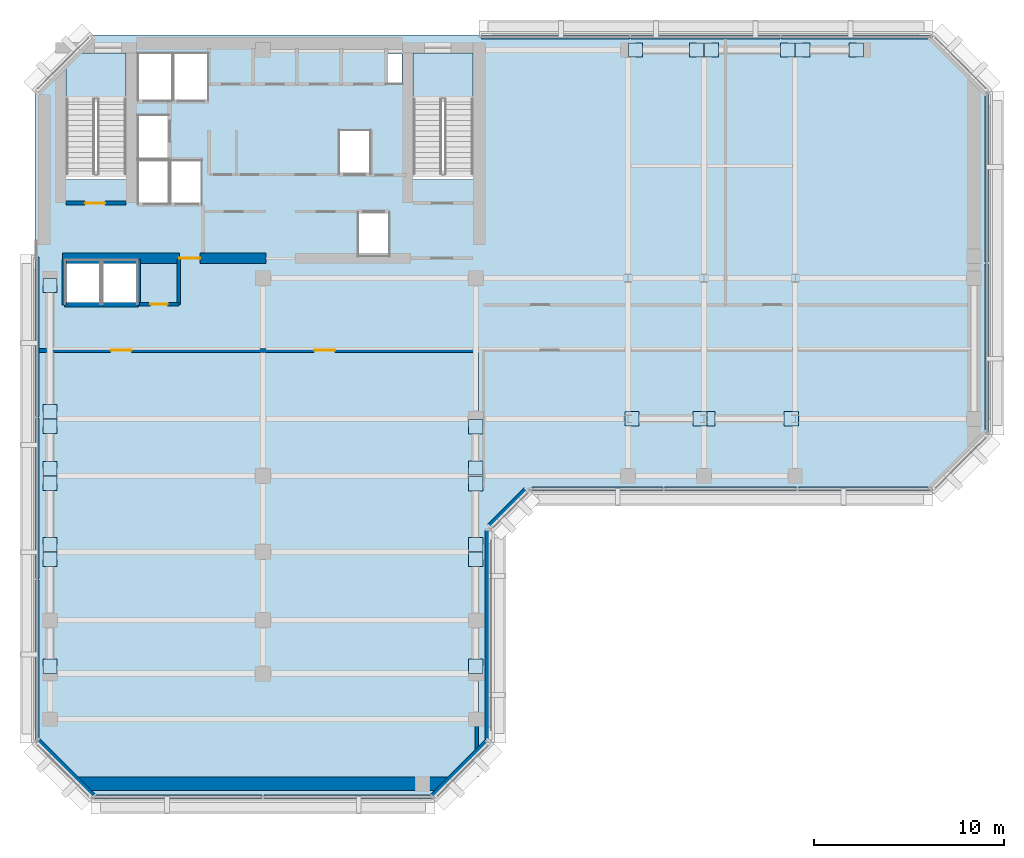
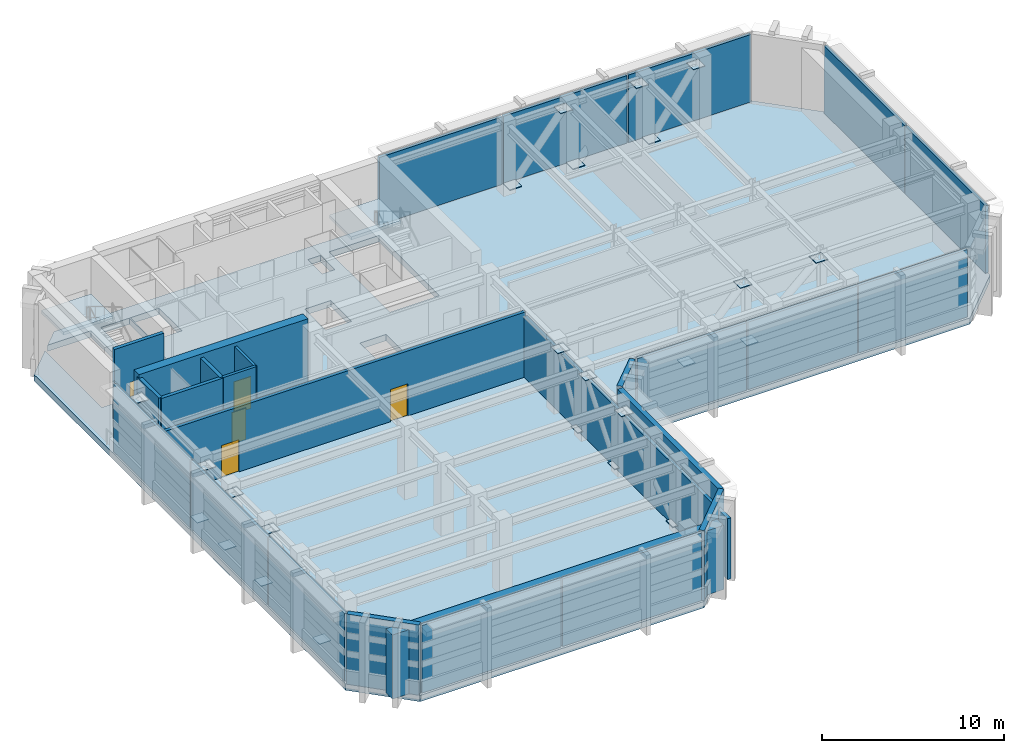
# One storey, part 5 of 11: 37 plates, 14 walls, 5 doors, 3 slabs, 5 openings, 7 elements without a shape of their own.
"""IFC4 building model written with IfcOpenShell, lengths in metres."""

import ifcopenshell
import ifcopenshell.guid

model = None  # the IFC model being written
_history = None  # IfcOwnerHistory: only IFC2X3 demands one
_inside = {}  # id of a spatial element -> (the spatial element, [elements in it])
_under = {}  # id of a project, library or spatial element -> (it, [spatial elements below it])
_declared = {}  # id of a project -> (the project, [libraries it declares])
_typed = {}  # id of a type object -> (the type object, [elements of that type])
_made_of = {}  # id of a material, layer set ... -> (it, [elements and type objects made of it])


def new_model(schema):
    """Start an empty IFC model of exactly this schema.

    Asked for "IFC4X3", IfcOpenShell would pick the latest addendum, in which some entities
    have other attributes; the version numbers below select the first issue.
    IFC2X3 requires an IfcOwnerHistory on every rooted entity: one is made here for all.
    """
    global model, _history
    if schema == "IFC4X3":
        model = ifcopenshell.file(schema_version=(4, 3, 0, 0))
    else:
        model = ifcopenshell.file(schema=schema)
    _inside.clear()
    _under.clear()
    _declared.clear()
    _typed.clear()
    _made_of.clear()
    _history = None
    if model.schema == "IFC2X3":
        org = make("IfcOrganization", Name="unknown")
        user = make(
            "IfcPersonAndOrganization",
            ThePerson=make("IfcPerson", FamilyName="unknown"),
            TheOrganization=org,
        )
        app = make(
            "IfcApplication",
            ApplicationDeveloper=org,
            Version="unknown",
            ApplicationFullName="unknown",
            ApplicationIdentifier="unknown",
        )
        _history = make(
            "IfcOwnerHistory",
            OwningUser=user,
            OwningApplication=app,
            ChangeAction="ADDED",
            CreationDate=0,
        )
    return model


def make(cls, **values):
    """One entity of the class cls with the attributes given. An attribute that is None is left unset."""
    return model.create_entity(
        cls, **{name: value for name, value in values.items() if value is not None}
    )


def rooted(cls, **values):
    """An entity with a GlobalId (a new one), such as an element, a storey or a relation."""
    return make(cls, GlobalId=ifcopenshell.guid.new(), OwnerHistory=_history, **values)


def si_unit(unit_type, name, prefix=None):
    """IfcSIUnit, for example si_unit("LENGTHUNIT", "METRE", prefix="MILLI")."""
    return make("IfcSIUnit", UnitType=unit_type, Prefix=prefix, Name=name)


def assignment(units):
    """IfcUnitAssignment: the units of a project."""
    return None if units is None else make("IfcUnitAssignment", Units=units)


def point(xyz):
    """IfcCartesianPoint."""
    return None if xyz is None else make("IfcCartesianPoint", Coordinates=xyz)


def direction(xyz):
    """IfcDirection."""
    return None if xyz is None else make("IfcDirection", DirectionRatios=xyz)


def frame(location, z_axis=None, x_axis=None):
    """IfcAxis2Placement3D, a coordinate frame: its origin and axes. An axis left out is left unset."""
    return make(
        "IfcAxis2Placement3D",
        Location=point(location),
        Axis=direction(z_axis),
        RefDirection=direction(x_axis),
    )


def frame_2d(location, x_axis=None):
    """IfcAxis2Placement2D, a coordinate frame in the plane: its origin and x axis."""
    return make(
        "IfcAxis2Placement2D", Location=point(location), RefDirection=direction(x_axis)
    )


def origin():
    """The frame at (0, 0, 0) with its axes left unset."""
    return frame((0.0, 0.0, 0.0))


def origin_2d():
    """The frame at (0, 0) in the plane with its x axis left unset."""
    return frame_2d((0.0, 0.0))


def place(relative_to, where):
    """IfcLocalPlacement: puts the frame where relative to a parent placement (None: the world)."""
    return make(
        "IfcLocalPlacement", PlacementRelTo=relative_to, RelativePlacement=where
    )


def context(
    kind, dimensions, precision=None, world=None, true_north=None, identifier=None
):
    """IfcGeometricRepresentationContext, for example the 3D "Model" context."""
    return make(
        "IfcGeometricRepresentationContext",
        ContextIdentifier=identifier,
        ContextType=kind,
        CoordinateSpaceDimension=dimensions,
        Precision=precision,
        WorldCoordinateSystem=world,
        TrueNorth=true_north,
    )


def subcontext(parent, identifier, kind, view, scale=None):
    """IfcGeometricRepresentationSubContext, for example "Body" below "Model"."""
    return make(
        "IfcGeometricRepresentationSubContext",
        ContextIdentifier=identifier,
        ContextType=kind,
        ParentContext=parent,
        TargetScale=scale,
        TargetView=view,
    )


def project(units=None, contexts=None):
    """IfcProject with its units and contexts."""
    return rooted(
        "IfcProject",
        Name="project",
        RepresentationContexts=contexts,
        UnitsInContext=assignment(units),
    )


def spatial(cls, under=None, at=None, **own):
    """A site, building, storey or space (cls), placed at a placement, below another one or the project."""
    s = rooted(cls, ObjectPlacement=at, **own)
    if under is not None:
        _under.setdefault(under.id(), (under, []))[1].append(s)
    return s


def polyline(points):
    """IfcPolyline through the points."""
    return make("IfcPolyline", Points=[point(p) for p in points])


def profile(cls, at=None, kind="AREA", **sizes):
    """A parametric profile (cls). Its sizes go by their IFC names, for example OverallWidth=200.0."""
    return make(cls, ProfileType=kind, Position=at, **sizes)


def rectangle(**sizes):
    """IfcRectangleProfileDef."""
    return profile("IfcRectangleProfileDef", **sizes)


def outline(outer, holes=None, kind="AREA"):
    """IfcArbitraryClosedProfileDef: a profile drawn as a closed curve; with holes, ...WithVoids."""
    if holes is None:
        return make("IfcArbitraryClosedProfileDef", ProfileType=kind, OuterCurve=outer)
    return make(
        "IfcArbitraryProfileDefWithVoids",
        ProfileType=kind,
        OuterCurve=outer,
        InnerCurves=holes,
    )


def extrude(swept, where, along, depth):
    """IfcExtrudedAreaSolid: the profile swept, set in the frame where, extruded along a direction by depth."""
    return make(
        "IfcExtrudedAreaSolid",
        SweptArea=swept,
        Position=where,
        ExtrudedDirection=direction(along),
        Depth=depth,
    )


def shape(context_of_items, identifier, shape_type, items):
    """IfcShapeRepresentation: the items that make up one representation, for example the "Body"."""
    return make(
        "IfcShapeRepresentation",
        ContextOfItems=context_of_items,
        RepresentationIdentifier=identifier,
        RepresentationType=shape_type,
        Items=items,
    )


def material(Name=None, Category=None):
    """IfcMaterial."""
    return make("IfcMaterial", Name=Name, Category=Category)


def layer(
    of_material, thickness, ventilated=None, Name=None, Category=None, Priority=None
):
    """IfcMaterialLayer: one layer of a wall or slab, of a material (None: an air gap)."""
    return make(
        "IfcMaterialLayer",
        Material=of_material,
        LayerThickness=thickness,
        IsVentilated=ventilated,
        Name=Name,
        Category=Category,
        Priority=Priority,
    )


def layer_set(layers, Name=None):
    """IfcMaterialLayerSet."""
    return make("IfcMaterialLayerSet", MaterialLayers=layers, LayerSetName=Name)


def made_of(thing, what):
    """Note that an element or type object is made of a material, layer set ...; save() writes the relation."""
    if what is not None:
        _made_of.setdefault(what.id(), (what, []))[1].append(thing)
    return thing


def type_object(cls, material=None, **own):
    """A type object (cls), such as IfcWallType, which elements share."""
    return made_of(rooted(cls, **own), material)


def element(
    cls,
    number,
    at=None,
    inside=None,
    cuts=None,
    type_object=None,
    material=None,
    context=None,
    identifier="Body",
    shape_type=None,
    held_by="IfcProductDefinitionShape",
    body=None,
    shapes=None,
    **own,
):
    """One element of the class cls, such as IfcWall. Its Tag is "e" and its number.

    at: its placement. inside: the storey or other place that contains it. cuts: it is an
    opening in that element (IfcRelVoidsElement). A single representation is given by context,
    identifier, shape_type and body (its items); several are given by shapes. held_by: the class
    of the entity that holds the representations. save() writes the other relations.
    """
    e = rooted(cls, Tag="e%d" % number, ObjectPlacement=at, **own)
    if body is not None:
        shapes = [shape(context, identifier, shape_type, body)]
    if shapes is not None:
        e.Representation = make(held_by, Representations=shapes)
    if inside is not None:
        _inside.setdefault(inside.id(), (inside, []))[1].append(e)
    if cuts is not None:
        rooted(
            "IfcRelVoidsElement", RelatingBuildingElement=cuts, RelatedOpeningElement=e
        )
    if type_object is not None:
        _typed.setdefault(type_object.id(), (type_object, []))[1].append(e)
    return made_of(e, material)


def fill(opening, filler):
    """IfcRelFillsElement: the door or window that sits in an opening."""
    return rooted(
        "IfcRelFillsElement",
        RelatingOpeningElement=opening,
        RelatedBuildingElement=filler,
    )


def aggregate(whole, parts):
    """IfcRelAggregates: a whole, such as a stair, and the parts it consists of."""
    return rooted("IfcRelAggregates", RelatingObject=whole, RelatedObjects=parts)


def save(model, path):
    """Write the relations noted so far, then the file.

    IfcRelAggregates (storeys below a building ...), IfcRelContainedInSpatialStructure (elements
    in a storey), IfcRelDefinesByType, IfcRelAssociatesMaterial and IfcRelDeclares: one each for
    every whole, place, type object, material and project.
    """
    for whole, parts in _under.values():
        aggregate(whole, parts)
    for where, things in _inside.values():
        rooted(
            "IfcRelContainedInSpatialStructure",
            RelatedElements=things,
            RelatingStructure=where,
        )
    for kind, things in _typed.values():
        rooted("IfcRelDefinesByType", RelatedObjects=things, RelatingType=kind)
    for what, things in _made_of.values():
        rooted("IfcRelAssociatesMaterial", RelatedObjects=things, RelatingMaterial=what)
    for by, libraries in _declared.values():
        rooted("IfcRelDeclares", RelatingContext=by, RelatedDefinitions=libraries)
    model.write(path)


model = new_model("IFC4")

# Units and contexts
model_context = context("Model", 3, precision=1e-05, world=origin(), true_north=direction((0.0, 1.0)))
body_context = subcontext(model_context, "Body", "Model", "MODEL_VIEW")
ifc_project = project(units=[si_unit("LENGTHUNIT", "METRE"), si_unit("AREAUNIT", "SQUARE_METRE"), si_unit("VOLUMEUNIT", "CUBIC_METRE"), si_unit("PLANEANGLEUNIT", "RADIAN"), si_unit("MASSUNIT", "GRAM", prefix="KILO")], contexts=[model_context])

# Site, building, storey
site_placement = place(None, origin())
site = spatial("IfcSite", under=ifc_project, at=site_placement, CompositionType="ELEMENT")
building_placement = place(site_placement, origin())
building = spatial("IfcBuilding", under=site, at=building_placement, Name="Kefirva Bronze Tower", CompositionType="ELEMENT")
storey_placement = place(building_placement, frame((0.0, 0.0, 251.4599609375)))
storey = spatial("IfcBuildingStorey", under=building, at=storey_placement, Name="L61", CompositionType="ELEMENT", Elevation=251.4599609375)

# Curtain wall, plates
ifc_material_1 = material(Name="Bronze anodised aluminium", Category="aluminium")
ifc_layer_1 = layer(ifc_material_1, 0.219970703125, Name="Bronze anodised aluminium")
ifc_layer_set_1 = layer_set([ifc_layer_1], Name="Bronze anodised aluminium")
curtain_wall_type = type_object("IfcCurtainWallType", Name="Refuge Acoustic Louvre Curtain Screen", PredefinedType="USERDEFINED", material=ifc_layer_set_1)
curtain_wall_1_placement = place(storey_placement, origin())
curtain_wall_1 = element("IfcCurtainWall", 1, at=curtain_wall_1_placement, inside=storey, type_object=curtain_wall_type, Name="L61 Curtain Wall 1", ObjectType="LOUVRE SCREEN WALL", PredefinedType="USERDEFINED")
ifc_layer_2 = layer(ifc_material_1, 0.179931640625, Name="Bronze anodised aluminium")
ifc_layer_set_2 = layer_set([ifc_layer_2], Name="Bronze anodised aluminium")
plate_type_1 = type_object("IfcPlateType", Name="Acoustic Weather Louvre Panel 180mm", PredefinedType="CURTAIN_PANEL", material=ifc_layer_set_2)
plate_1_placement = place(storey_placement, frame((7.550048828125, 5.919921875, 0.090087890625), z_axis=(0.0, 0.0, 1.0), x_axis=(1.0, 0.0, 0.0)))
plate_1 = element("IfcPlate", 2, at=plate_1_placement, type_object=plate_type_1, Name="CW-06 panel 1.1", PredefinedType="CURTAIN_PANEL", context=body_context, shape_type="SweptSolid", body=[
    extrude(rectangle(XDim=8.81005859375, YDim=0.179931640625, at=origin_2d()), origin(), (0.0, 0.0, 1.0), 4.52001953125),
])
plate_2_placement = place(storey_placement, frame((16.449951171875, 5.919921875, 0.090087890625), z_axis=(0.0, 0.0, 1.0), x_axis=(1.0, 0.0, 0.0)))
plate_2 = element("IfcPlate", 3, at=plate_2_placement, type_object=plate_type_1, Name="CW-06 panel 2.1", PredefinedType="CURTAIN_PANEL", context=body_context, shape_type="SweptSolid", body=[
    extrude(rectangle(XDim=8.81005859375, YDim=0.179931640625, at=origin_2d()), origin(), (0.0, 0.0, 1.0), 4.52001953125),
])
aggregate(curtain_wall_1, [plate_1, plate_2])

curtain_wall_2_placement = place(storey_placement, origin())
curtain_wall_2 = element("IfcCurtainWall", 4, at=curtain_wall_2_placement, inside=storey, type_object=curtain_wall_type, Name="L61 Curtain Wall 2", ObjectType="LOUVRE SCREEN WALL", PredefinedType="USERDEFINED")
plate_3_placement = place(storey_placement, frame((29.592529296875, 22.1201171875, 0.090087890625), z_axis=(0.0, 0.0, 1.0), x_axis=(1.0, 0.0, 0.0)))
plate_3 = element("IfcPlate", 5, at=plate_3_placement, type_object=plate_type_1, Name="CW-06 panel 1.1", PredefinedType="CURTAIN_PANEL", context=body_context, shape_type="SweptSolid", body=[
    extrude(rectangle(XDim=6.89501953125, YDim=0.179931640625, at=origin_2d()), origin(), (0.0, 0.0, 1.0), 4.52001953125),
])
plate_4_placement = place(storey_placement, frame((36.60009765625, 22.1201171875, 0.090087890625), z_axis=(0.0, 0.0, 1.0), x_axis=(1.0, 0.0, 0.0)))
plate_4 = element("IfcPlate", 6, at=plate_4_placement, type_object=plate_type_1, Name="CW-06 panel 2.1", PredefinedType="CURTAIN_PANEL", context=body_context, shape_type="SweptSolid", body=[
    extrude(rectangle(XDim=6.93994140625, YDim=0.179931640625, at=origin_2d()), origin(), (0.0, 0.0, 1.0), 4.52001953125),
])
plate_5_placement = place(storey_placement, frame((43.607421875, 22.1201171875, 0.090087890625), z_axis=(0.0, 0.0, 1.0), x_axis=(1.0, 0.0, 0.0)))
plate_5 = element("IfcPlate", 7, at=plate_5_placement, type_object=plate_type_1, Name="CW-06 panel 3.1", PredefinedType="CURTAIN_PANEL", context=body_context, shape_type="SweptSolid", body=[
    extrude(rectangle(XDim=6.89501953125, YDim=0.179931640625, at=origin_2d()), origin(), (0.0, 0.0, 1.0), 4.52001953125),
])
aggregate(curtain_wall_2, [plate_3, plate_4, plate_5])

curtain_wall_3_placement = place(storey_placement, origin())
curtain_wall_3 = element("IfcCurtainWall", 8, at=curtain_wall_3_placement, inside=storey, type_object=curtain_wall_type, Name="L61 Curtain Wall 3", ObjectType="LOUVRE SCREEN WALL", PredefinedType="USERDEFINED")
plate_6_placement = place(storey_placement, frame((50.080078125, 29.550048828125, 0.090087890625), z_axis=(0.0, 0.0, 1.0), x_axis=(0.0, 1.0, 0.0)))
plate_6 = element("IfcPlate", 9, at=plate_6_placement, type_object=plate_type_1, Name="CW-06 panel 1.1", PredefinedType="CURTAIN_PANEL", context=body_context, shape_type="SweptSolid", body=[
    extrude(rectangle(XDim=8.81005859375, YDim=0.179931640625, at=origin_2d()), origin(), (0.0, 0.0, 1.0), 4.52001953125),
])
plate_7_placement = place(storey_placement, frame((50.080078125, 38.449951171875, 0.090087890625), z_axis=(0.0, 0.0, 1.0), x_axis=(0.0, 1.0, 0.0)))
plate_7 = element("IfcPlate", 10, at=plate_7_placement, type_object=plate_type_1, Name="CW-06 panel 2.1", PredefinedType="CURTAIN_PANEL", context=body_context, shape_type="SweptSolid", body=[
    extrude(rectangle(XDim=8.81005859375, YDim=0.179931640625, at=origin_2d()), origin(), (0.0, 0.0, 1.0), 4.52001953125),
])
aggregate(curtain_wall_3, [plate_6, plate_7])

curtain_wall_4_placement = place(storey_placement, origin())
curtain_wall_4 = element("IfcCurtainWall", 11, at=curtain_wall_4_placement, inside=storey, type_object=curtain_wall_type, Name="L61 Curtain Wall 4", ObjectType="LOUVRE SCREEN WALL", PredefinedType="USERDEFINED")
plate_8_placement = place(storey_placement, frame((43.165771484375, 45.8798828125, 0.090087890625), z_axis=(0.0, 0.0, 1.0), x_axis=(-1.0, 0.0, 0.0)))
plate_8 = element("IfcPlate", 12, at=plate_8_placement, type_object=plate_type_1, Name="CW-06 panel 1.1", PredefinedType="CURTAIN_PANEL", context=body_context, shape_type="SweptSolid", body=[
    extrude(rectangle(XDim=7.7783203125, YDim=0.179931640625, at=origin_2d()), origin(), (0.0, 0.0, 1.0), 4.52001953125),
])
plate_9_placement = place(storey_placement, frame((35.27490234375, 45.8798828125, 0.090087890625), z_axis=(0.0, 0.0, 1.0), x_axis=(-1.0, 0.0, 0.0)))
plate_9 = element("IfcPlate", 13, at=plate_9_placement, type_object=plate_type_1, Name="CW-06 panel 2.1", PredefinedType="CURTAIN_PANEL", context=body_context, shape_type="SweptSolid", body=[
    extrude(rectangle(XDim=7.8232421875, YDim=0.179931640625, at=origin_2d()), origin(), (0.0, 0.0, 1.0), 4.52001953125),
])
plate_10_placement = place(storey_placement, frame((27.38427734375, 45.8798828125, 0.090087890625), z_axis=(0.0, 0.0, 1.0), x_axis=(-1.0, 0.0, 0.0)))
plate_10 = element("IfcPlate", 14, at=plate_10_placement, type_object=plate_type_1, Name="CW-06 panel 3.1", PredefinedType="CURTAIN_PANEL", context=body_context, shape_type="SweptSolid", body=[
    extrude(rectangle(XDim=7.7783203125, YDim=0.179931640625, at=origin_2d()), origin(), (0.0, 0.0, 1.0), 4.52001953125),
])
aggregate(curtain_wall_4, [plate_8, plate_9, plate_10])

curtain_wall_5_placement = place(storey_placement, origin())
curtain_wall_5 = element("IfcCurtainWall", 15, at=curtain_wall_5_placement, inside=storey, type_object=curtain_wall_type, Name="L61 Curtain Wall 5", ObjectType="LOUVRE SCREEN WALL", PredefinedType="USERDEFINED")
plate_11_placement = place(storey_placement, frame((0.1201171875, 30.11572265625, 0.090087890625), z_axis=(0.0, 0.0, 1.0), x_axis=(0.0, -1.0, 0.0)))
plate_11 = element("IfcPlate", 16, at=plate_11_placement, type_object=plate_type_1, Name="CW-06 panel 1.1", PredefinedType="CURTAIN_PANEL", context=body_context, shape_type="SweptSolid", body=[
    extrude(rectangle(XDim=8.37841796875, YDim=0.179931640625, at=origin_2d()), origin(), (0.0, 0.0, 1.0), 4.52001953125),
])
plate_12_placement = place(storey_placement, frame((0.1201171875, 21.625, 0.090087890625), z_axis=(0.0, 0.0, 1.0), x_axis=(0.0, -1.0, 0.0)))
plate_12 = element("IfcPlate", 17, at=plate_12_placement, type_object=plate_type_1, Name="CW-06 panel 2.1", PredefinedType="CURTAIN_PANEL", context=body_context, shape_type="SweptSolid", body=[
    extrude(rectangle(XDim=8.42333984375, YDim=0.179931640625, at=origin_2d()), origin(), (0.0, 0.0, 1.0), 4.52001953125),
])
plate_13_placement = place(storey_placement, frame((0.1201171875, 13.13427734375, 0.090087890625), z_axis=(0.0, 0.0, 1.0), x_axis=(0.0, -1.0, 0.0)))
plate_13 = element("IfcPlate", 18, at=plate_13_placement, type_object=plate_type_1, Name="CW-06 panel 3.1", PredefinedType="CURTAIN_PANEL", context=body_context, shape_type="SweptSolid", body=[
    extrude(rectangle(XDim=8.37841796875, YDim=0.179931640625, at=origin_2d()), origin(), (0.0, 0.0, 1.0), 4.52001953125),
])
aggregate(curtain_wall_5, [plate_11, plate_12, plate_13])

# Stair, slab
ifc_material_2 = material(Name="Concrete C40/50", Category="concrete")
stair_type = type_object("IfcStairType", Name="RC Dogleg Protected Stair 24R", PredefinedType="HALF_TURN_STAIR", material=ifc_material_2)
stair_1_placement = place(storey_placement, origin())
stair_1 = element("IfcStair", 19, at=stair_1_placement, inside=storey, type_object=stair_type, Name="L61 Protected Exit Stair 1", PredefinedType="HALF_TURN_STAIR")
ifc_layer_3 = layer(ifc_material_2, 0.199951171875, Name="Concrete C40/50")
ifc_layer_set_3 = layer_set([ifc_layer_3], Name="Concrete C40/50")
slab_type_1 = type_object("IfcSlabType", Name="RC Stair Landing Slab 200mm", PredefinedType="LANDING", material=ifc_layer_set_3)
slab_1_placement = place(storey_placement, frame((0.0, 0.0, 2.275146484375)))
slab_1 = element("IfcSlab", 20, at=slab_1_placement, type_object=slab_type_1, Name="ST-1 landing 1", PredefinedType="LANDING", context=body_context, shape_type="SweptSolid", body=[
    extrude(outline(polyline([(4.800048828125, 42.6201171875), (4.800048828125, 45.050048828125), (1.64990234375, 45.050048828125), (1.64990234375, 42.6201171875), (4.800048828125, 42.6201171875)])), origin(), (0.0, 0.0, 1.0), 0.199951171875),
])
aggregate(stair_1, [slab_1])

stair_2_placement = place(storey_placement, origin())
stair_2 = element("IfcStair", 21, at=stair_2_placement, inside=storey, type_object=stair_type, Name="L61 Protected Exit Stair 2", PredefinedType="HALF_TURN_STAIR")
slab_2_placement = place(storey_placement, frame((0.0, 0.0, 2.275146484375)))
slab_2 = element("IfcSlab", 22, at=slab_2_placement, type_object=slab_type_1, Name="ST-2 landing 1", PredefinedType="LANDING", context=body_context, shape_type="SweptSolid", body=[
    extrude(outline(polyline([(23.050048828125, 42.6201171875), (23.050048828125, 45.050048828125), (19.89990234375, 45.050048828125), (19.89990234375, 42.6201171875), (23.050048828125, 42.6201171875)])), origin(), (0.0, 0.0, 1.0), 0.199951171875),
])
aggregate(stair_2, [slab_2])

# Slab
ifc_material_3 = material(Name="Concrete C50/60", Category="concrete")
ifc_layer_4 = layer(ifc_material_3, 0.419921875, Name="Concrete C50/60")
ifc_layer_set_4 = layer_set([ifc_layer_4], Name="Concrete C50/60")
slab_type_2 = type_object("IfcSlabType", Name="RC Transfer Deck Slab 420mm", PredefinedType="FLOOR", material=ifc_layer_set_4)
slab_3_placement = place(storey_placement, frame((0.0, 0.0, -0.419921875)))
element("IfcSlab", 23, at=slab_3_placement, inside=storey, type_object=slab_type_2, Name="L61 Structural Floor Slab", PredefinedType="FLOOR", context=body_context, shape_type="SweptSolid", body=[
    extrude(outline(polyline([(0.0, 8.800048828125), (0.0, 43.0), (1.64990234375, 44.64990234375), (1.64990234375, 38.39990234375), (4.800048828125, 38.39990234375), (4.800048828125, 45.050048828125), (2.050048828125, 45.050048828125), (3.0, 46.0), (47.199951171875, 46.0), (50.199951171875, 43.0), (50.199951171875, 25.0), (47.199951171875, 22.0), (26.0, 22.0), (24.0, 20.0), (24.0, 8.800048828125), (21.0, 5.800048828125), (3.0, 5.800048828125), (0.0, 8.800048828125)]), holes=[polyline([(23.050048828125, 45.050048828125), (19.89990234375, 45.050048828125), (19.89990234375, 38.39990234375), (23.050048828125, 38.39990234375), (23.050048828125, 45.050048828125)]), polyline([(19.320068359375, 43.419921875), (19.320068359375, 45.0), (18.52001953125, 45.0), (18.52001953125, 43.419921875), (19.320068359375, 43.419921875)]), polyline([(18.64990234375, 36.64990234375), (17.0, 36.64990234375), (17.0, 34.35009765625), (18.64990234375, 34.35009765625), (18.64990234375, 36.64990234375)]), polyline([(17.64990234375, 38.679931640625), (17.64990234375, 40.97998046875), (16.0, 40.97998046875), (16.0, 38.679931640625), (17.64990234375, 38.679931640625)]), polyline([(9.1201171875, 42.550048828125), (9.1201171875, 45.050048828125), (7.300048828125, 45.050048828125), (7.300048828125, 42.550048828125), (9.1201171875, 42.550048828125)]), polyline([(8.780029296875, 37.10009765625), (8.780029296875, 39.39990234375), (7.139892578125, 39.39990234375), (7.139892578125, 37.10009765625), (8.780029296875, 37.10009765625)]), polyline([(7.239990234375, 42.550048828125), (7.239990234375, 45.050048828125), (5.419921875, 45.050048828125), (5.419921875, 42.550048828125), (7.239990234375, 42.550048828125)]), polyline([(7.06005859375, 37.10009765625), (7.06005859375, 39.39990234375), (5.419921875, 39.39990234375), (5.419921875, 37.10009765625), (7.06005859375, 37.10009765625)]), polyline([(7.06005859375, 41.780029296875), (5.419921875, 41.780029296875), (5.419921875, 39.47998046875), (7.06005859375, 39.47998046875), (7.06005859375, 41.780029296875)]), polyline([(5.39990234375, 31.85009765625), (5.39990234375, 34.14990234375), (3.550048828125, 34.14990234375), (3.550048828125, 31.85009765625), (5.39990234375, 31.85009765625)]), polyline([(3.449951171875, 34.14990234375), (1.60009765625, 34.14990234375), (1.60009765625, 31.85009765625), (3.449951171875, 31.85009765625), (3.449951171875, 34.14990234375)])]), origin(), (0.0, 0.0, 1.0), 0.419921875),
])

# Plates
ifc_material_4 = material(Name="Steel S460", Category="steel")
ifc_layer_5 = layer(ifc_material_4, 0.0400390625, Name="Steel S460")
ifc_layer_set_5 = layer_set([ifc_layer_5], Name="Steel S460")
plate_type_2 = type_object("IfcPlateType", Name="Steel Node Gusset Plate 40mm", PredefinedType="USERDEFINED", material=ifc_layer_set_5)
for number, where, z_axis, x_axis, name in (
    (24, (0.800048828125, 12.7900390625, 0.280029296875), (0.0, 0.0, 1.0), (1.0, 0.0, 0.0), "L61 Belt Node Gusset 1-1"),
    (25, (0.800048828125, 18.409912109375, 4.280029296875), (0.0, 0.0, 1.0), (1.0, 0.0, 0.0), "L61 Belt Node Gusset 1-2"),
    (26, (0.800048828125, 19.18994140625, 0.280029296875), (0.0, 0.0, 1.0), (1.0, 0.0, 0.0), "L61 Belt Node Gusset 2-1"),
    (27, (0.800048828125, 22.409912109375, 4.280029296875), (0.0, 0.0, 1.0), (1.0, 0.0, 0.0), "L61 Belt Node Gusset 2-2"),
    (28, (0.800048828125, 23.18994140625, 0.280029296875), (0.0, 0.0, 1.0), (1.0, 0.0, 0.0), "L61 Belt Node Gusset 3-1"),
    (29, (0.800048828125, 25.409912109375, 4.280029296875), (0.0, 0.0, 1.0), (1.0, 0.0, 0.0), "L61 Belt Node Gusset 3-2"),
    (30, (0.800048828125, 26.18994140625, 0.280029296875), (0.0, 0.0, 1.0), (1.0, 0.0, 0.0), "L61 Belt Node Gusset 4-1"),
    (31, (0.800048828125, 32.81005859375, 4.280029296875), (0.0, 0.0, 1.0), (1.0, 0.0, 0.0), "L61 Belt Node Gusset 4-2"),
    (32, (23.199951171875, 12.7900390625, 0.280029296875), (0.0, 0.0, 1.0), (1.0, 0.0, 0.0), "L61 Belt Node Gusset 5-1"),
    (33, (23.199951171875, 18.409912109375, 4.280029296875), (0.0, 0.0, 1.0), (1.0, 0.0, 0.0), "L61 Belt Node Gusset 5-2"),
    (34, (23.199951171875, 19.18994140625, 0.280029296875), (0.0, 0.0, 1.0), (1.0, 0.0, 0.0), "L61 Belt Node Gusset 6-1"),
    (35, (23.199951171875, 22.389892578125, 4.280029296875), (0.0, 0.0, 1.0), (1.0, 0.0, 0.0), "L61 Belt Node Gusset 6-2"),
    (36, (23.199951171875, 23.2099609375, 0.280029296875), (0.0, 0.0, 1.0), (1.0, 0.0, 0.0), "L61 Belt Node Gusset 7-1"),
    (37, (23.199951171875, 25.389892578125, 4.280029296875), (0.0, 0.0, 1.0), (1.0, 0.0, 0.0), "L61 Belt Node Gusset 7-2"),
    (38, (31.406005859375, 25.800048828125, 0.280029296875), (0.0, 0.0, 1.0), (1.0, 0.0, 0.0), "L61 Belt Node Gusset 8-1"),
    (39, (34.993896484375, 25.800048828125, 4.280029296875), (0.0, 0.0, 1.0), (1.0, 0.0, 0.0), "L61 Belt Node Gusset 8-2"),
    (40, (35.406005859375, 25.800048828125, 0.280029296875), (0.0, 0.0, 1.0), (1.0, 0.0, 0.0), "L61 Belt Node Gusset 9-1"),
    (41, (39.7939453125, 25.800048828125, 4.280029296875), (0.0, 0.0, 1.0), (1.0, 0.0, 0.0), "L61 Belt Node Gusset 9-2"),
    (42, (31.590087890625, 45.199951171875, 0.280029296875), (0.0, 0.0, 1.0), (1.0, 0.0, 0.0), "L61 Belt Node Gusset 10-1"),
    (43, (34.81005859375, 45.199951171875, 4.280029296875), (0.0, 0.0, 1.0), (1.0, 0.0, 0.0), "L61 Belt Node Gusset 10-2"),
    (44, (35.590087890625, 45.199951171875, 0.280029296875), (0.0, 0.0, 1.0), (1.0, 0.0, 0.0), "L61 Belt Node Gusset 11-1"),
    (45, (39.610107421875, 45.199951171875, 4.280029296875), (0.0, 0.0, 1.0), (1.0, 0.0, 0.0), "L61 Belt Node Gusset 11-2"),
    (46, (40.389892578125, 45.199951171875, 0.280029296875), (0.0, 0.0, 1.0), (1.0, 0.0, 0.0), "L61 Belt Node Gusset 12-1"),
    (47, (43.2099609375, 45.199951171875, 4.280029296875), (0.0, 0.0, 1.0), (1.0, 0.0, 0.0), "L61 Belt Node Gusset 12-2"),
):
    element("IfcPlate", number, at=place(storey_placement, frame(where, z_axis=z_axis, x_axis=x_axis)), inside=storey, type_object=plate_type_2, Name=name, ObjectType="GUSSET PLATE", PredefinedType="USERDEFINED", context=body_context, shape_type="SweptSolid", body=[
        extrude(rectangle(XDim=0.75, YDim=0.75, at=origin_2d()), origin(), (0.0, 0.0, 1.0), 0.0400390625),
    ])

# Wall, opening, door
ifc_material_5 = material(Name="Gypsum fireboard shaftwall")
ifc_layer_6 = layer(ifc_material_5, 0.219970703125, Name="Gypsum fireboard shaftwall")
ifc_layer_set_6 = layer_set([ifc_layer_6], Name="Gypsum fireboard shaftwall")
wall_type_1 = type_object("IfcWallType", Name="Fire-Rated Shaft Enclosure Wall 220mm", PredefinedType="PARTITIONING", material=ifc_layer_set_6)
wall_1_placement = place(storey_placement, frame((1.64990234375, 37.14990234375, 0.0), z_axis=(0.0, 0.0, 1.0), x_axis=(1.0, 0.0, 0.0)))
wall_1 = element("IfcWall", 48, at=wall_1_placement, inside=storey, type_object=wall_type_1, Name="L61 Partition W-L61-ST1S", PredefinedType="PARTITIONING", context=body_context, shape_type="SweptSolid", body=[
    extrude(rectangle(XDim=3.150146484375, YDim=0.219970703125, at=frame_2d((1.5751953125, 0.0))), origin(), (0.0, 0.0, 1.0), 4.699951171875),
])
opening_1_placement = place(wall_1_placement, frame((2.050048828125, 0.0, 0.0), z_axis=(0.0, 0.0, 1.0), x_axis=(-1.0, 0.0, 0.0)))
opening_1 = element("IfcOpeningElement", 49, at=opening_1_placement, cuts=wall_1, Name="Opening L61-D001", PredefinedType="OPENING", context=body_context, shape_type="SweptSolid", body=[
    extrude(rectangle(XDim=1.050048828125, YDim=2.14990234375, at=frame_2d((0.52490234375, 1.074951171875))), frame((0.0, 0.1201171875, 0.0), z_axis=(0.0, -1.0, 0.0), x_axis=(1.0, 0.0, 0.0)), (0.0, 0.0, 1.0), 0.239990234375),
])
ifc_material_6 = material(Name="Painted galvanized steel", Category="steel")
door_type_1 = type_object("IfcDoorType", Name="Fire Stair Enclosure Door 1050x2150 FD90S", OperationType="NOTDEFINED", PredefinedType="DOOR", material=ifc_material_6)
door_1_placement = place(opening_1_placement, origin())
door_1 = element("IfcDoor", 50, at=door_1_placement, inside=storey, type_object=door_type_1, Name="Door L61-D001", OperationType="SINGLE_SWING_LEFT", OverallHeight=2.14990234375, OverallWidth=1.050048828125, PredefinedType="DOOR", context=body_context, shape_type="SweptSolid", body=[
    extrude(rectangle(XDim=1.050048828125, YDim=2.14990234375, at=frame_2d((0.52490234375, 1.074951171875))), frame((0.0, 0.02490234375, 0.0), z_axis=(0.0, -1.0, 0.0), x_axis=(1.0, 0.0, 0.0)), (0.0, 0.0, 1.0), 0.050048828125),
])
fill(opening_1, door_1)

# Walls
wall_2_placement = place(storey_placement, frame((1.550048828125, 31.800048828125, 0.0), z_axis=(0.0, 0.0, 1.0), x_axis=(1.0, 0.0, 0.0)))
element("IfcWall", 51, at=wall_2_placement, inside=storey, type_object=wall_type_1, Name="L61 Partition W-L61-OBS", PredefinedType="PARTITIONING", context=body_context, shape_type="SweptSolid", body=[
    extrude(rectangle(XDim=3.89990234375, YDim=0.219970703125, at=frame_2d((1.949951171875, 0.0))), origin(), (0.0, 0.0, 1.0), 4.699951171875),
])
for number, where, z_axis, x_axis, name in (
    (52, (1.550048828125, 31.800048828125, 0.0), (0.0, 0.0, 1.0), (0.0, 1.0, 0.0), "L61 Partition W-L61-OBW"),
    (53, (5.449951171875, 31.800048828125, 0.0), (0.0, 0.0, 1.0), (0.0, 1.0, 0.0), "L61 Partition W-L61-OBE"),
):
    element("IfcWall", number, at=place(storey_placement, frame(where, z_axis=z_axis, x_axis=x_axis)), inside=storey, type_object=wall_type_1, Name=name, PredefinedType="PARTITIONING", context=body_context, shape_type="SweptSolid", body=[
        extrude(rectangle(XDim=2.3798828125, YDim=0.219970703125, at=frame_2d((1.18994140625, 0.0))), origin(), (0.0, 0.0, 1.0), 4.699951171875),
    ])

# Wall, openings, doors
ifc_material_7 = material(Name="Gypsum fireboard barrier")
ifc_layer_7 = layer(ifc_material_7, 0.199951171875, Name="Gypsum fireboard barrier")
ifc_layer_set_7 = layer_set([ifc_layer_7], Name="Gypsum fireboard barrier")
wall_type_2 = type_object("IfcWallType", Name="Firefighting Lobby Barrier Wall 200mm", PredefinedType="PARTITIONING", material=ifc_layer_set_7)
wall_3_placement = place(storey_placement, frame((0.18994140625, 29.39990234375, 0.0), z_axis=(0.0, 0.0, 1.0), x_axis=(1.0, 0.0, 0.0)))
wall_3 = element("IfcWall", 54, at=wall_3_placement, inside=storey, type_object=wall_type_2, Name="L61 Partition W-L61-REFS", PredefinedType="PARTITIONING", context=body_context, shape_type="SweptSolid", body=[
    extrude(rectangle(XDim=23.06005859375, YDim=0.199951171875, at=frame_2d((11.530029296875, 0.0))), origin(), (0.0, 0.0, 1.0), 4.35498046875),
])
opening_2_placement = place(wall_3_placement, frame((3.800048828125, 0.0, 0.0)))
opening_2 = element("IfcOpeningElement", 55, at=opening_2_placement, cuts=wall_3, Name="Opening L61-D-REF1", PredefinedType="OPENING", context=body_context, shape_type="SweptSolid", body=[
    extrude(rectangle(XDim=1.10009765625, YDim=2.14990234375, at=frame_2d((0.550048828125, 1.074951171875))), frame((0.0, 0.10986328125, 0.0), z_axis=(0.0, -1.0, 0.0), x_axis=(1.0, 0.0, 0.0)), (0.0, 0.0, 1.0), 0.219970703125),
])
opening_3_placement = place(wall_3_placement, frame((14.5, 0.0, 0.0)))
opening_3 = element("IfcOpeningElement", 56, at=opening_3_placement, cuts=wall_3, Name="Opening L61-D-REF2", PredefinedType="OPENING", context=body_context, shape_type="SweptSolid", body=[
    extrude(rectangle(XDim=1.10009765625, YDim=2.14990234375, at=frame_2d((0.550048828125, 1.074951171875))), frame((0.0, 0.10986328125, 0.0), z_axis=(0.0, -1.0, 0.0), x_axis=(1.0, 0.0, 0.0)), (0.0, 0.0, 1.0), 0.219970703125),
])
door_type_2 = type_object("IfcDoorType", Name="Firefighting Lobby Smoke Door 1100x2150 FD60S", OperationType="NOTDEFINED", PredefinedType="DOOR", material=ifc_material_6)
door_2_placement = place(opening_2_placement, origin())
door_2 = element("IfcDoor", 57, at=door_2_placement, inside=storey, type_object=door_type_2, Name="Door L61-D-REF1", OperationType="SINGLE_SWING_RIGHT", OverallHeight=2.14990234375, OverallWidth=1.10009765625, PredefinedType="DOOR", context=body_context, shape_type="SweptSolid", body=[
    extrude(rectangle(XDim=1.10009765625, YDim=2.14990234375, at=frame_2d((0.550048828125, 1.074951171875))), frame((0.0, 0.02490234375, 0.0), z_axis=(0.0, -1.0, 0.0), x_axis=(1.0, 0.0, 0.0)), (0.0, 0.0, 1.0), 0.050048828125),
])
fill(opening_2, door_2)
door_3_placement = place(opening_3_placement, origin())
door_3 = element("IfcDoor", 58, at=door_3_placement, inside=storey, type_object=door_type_2, Name="Door L61-D-REF2", OperationType="SINGLE_SWING_LEFT", OverallHeight=2.14990234375, OverallWidth=1.10009765625, PredefinedType="DOOR", context=body_context, shape_type="SweptSolid", body=[
    extrude(rectangle(XDim=1.10009765625, YDim=2.14990234375, at=frame_2d((0.550048828125, 1.074951171875))), frame((0.0, 0.02490234375, 0.0), z_axis=(0.0, -1.0, 0.0), x_axis=(1.0, 0.0, 0.0)), (0.0, 0.0, 1.0), 0.050048828125),
])
fill(opening_3, door_3)

# Walls
wall_4_placement = place(storey_placement, frame((23.25, 6.949951171875, 0.0), z_axis=(0.0, 0.0, 1.0), x_axis=(0.0, 1.0, 0.0)))
element("IfcWall", 59, at=wall_4_placement, inside=storey, type_object=wall_type_2, Name="L61 Partition W-L61-REFE", PredefinedType="PARTITIONING", context=body_context, shape_type="SweptSolid", body=[
    extrude(rectangle(XDim=22.35009765625, YDim=0.199951171875, at=frame_2d((11.175048828125, 0.0))), origin(), (0.0, 0.0, 1.0), 4.0849609375),
])
ifc_material_8 = material(Name="Precast concrete C40/50", Category="concrete")
ifc_layer_8 = layer(ifc_material_8, 0.320068359375, Name="Precast concrete C40/50")
ifc_layer_set_8 = layer_set([ifc_layer_8], Name="Precast concrete C40/50")
wall_type_3 = type_object("IfcWallType", Name="Precast Insulated Exterior Wall 320mm", PredefinedType="SOLIDWALL", material=ifc_layer_set_8)
wall_5_placement = place(storey_placement, frame((20.92578125, 5.951904296875, 0.0), z_axis=(0.0, 0.0, 1.0), x_axis=(0.707077242712, 0.707136318428, 0.0)))
element("IfcWall", 60, at=wall_5_placement, inside=storey, type_object=wall_type_3, Name="L61 Exterior Facade Wall 1", PredefinedType="SOLIDWALL", context=body_context, shape_type="SweptSolid", body=[
    extrude(rectangle(XDim=4.132568359375, YDim=0.320068359375, at=frame_2d((2.06640625, 0.0))), origin(), (0.0, 0.0, 1.0), 4.699951171875),
])
wall_6_placement = place(storey_placement, frame((23.840087890625, 8.85498046875, 0.0), z_axis=(0.0, 0.0, 1.0), x_axis=(0.0, 1.0, 0.0)))
element("IfcWall", 61, at=wall_6_placement, inside=storey, type_object=wall_type_3, Name="L61 Exterior Facade Wall 2", PredefinedType="SOLIDWALL", context=body_context, shape_type="SweptSolid", body=[
    extrude(rectangle(XDim=11.090087890625, YDim=0.320068359375, at=frame_2d((5.544921875, 0.0))), origin(), (0.0, 0.0, 1.0), 4.699951171875),
])
wall_7_placement = place(storey_placement, frame((23.92578125, 20.152099609375, 0.0), z_axis=(0.0, 0.0, 1.0), x_axis=(0.707106781187, 0.707106781187, 0.0)))
element("IfcWall", 62, at=wall_7_placement, inside=storey, type_object=wall_type_3, Name="L61 Exterior Facade Wall 3", PredefinedType="SOLIDWALL", context=body_context, shape_type="SweptSolid", body=[
    extrude(rectangle(XDim=2.71826171875, YDim=0.320068359375, at=frame_2d((1.359130859375, 0.0))), origin(), (0.0, 0.0, 1.0), 4.699951171875),
])
wall_8_placement = place(storey_placement, frame((0.152099609375, 8.874267578125, 0.0), z_axis=(0.0, 0.0, 1.0), x_axis=(0.707077242712, -0.707136318428, 0.0)))
element("IfcWall", 63, at=wall_8_placement, inside=storey, type_object=wall_type_3, Name="L61 Exterior Facade Wall 7", PredefinedType="SOLIDWALL", context=body_context, shape_type="SweptSolid", body=[
    extrude(rectangle(XDim=4.132568359375, YDim=0.320068359375, at=frame_2d((2.06640625, 0.0))), origin(), (0.0, 0.0, 1.0), 4.699951171875),
])

# Wall, opening, door
ifc_layer_9 = layer(ifc_material_3, 0.64990234375, Name="Concrete C50/60")
ifc_layer_set_9 = layer_set([ifc_layer_9], Name="Concrete C50/60")
wall_type_4 = type_object("IfcWallType", Name="RC Rear Core Interior Wall 650mm", PredefinedType="SHEAR", material=ifc_layer_set_9)
wall_9_placement = place(storey_placement, frame((1.449951171875, 34.25, 0.0), z_axis=(0.0, 0.0, 1.0), x_axis=(1.0, 0.0, 0.0)))
wall_9 = element("IfcWall", 64, at=wall_9_placement, inside=storey, type_object=wall_type_4, Name="L61 Rear Core South-West Shear Wall", PredefinedType="SHEAR", context=body_context, shape_type="SweptSolid", body=[
    extrude(rectangle(XDim=10.7099609375, YDim=0.550048828125, at=frame_2d((5.35498046875, 0.0))), origin(), (0.0, 0.0, 1.0), 4.949951171875),
])
opening_4_placement = place(wall_9_placement, frame((7.25, 0.0, 0.0), z_axis=(0.0, 0.0, 1.0), x_axis=(-1.0, 0.0, 0.0)))
opening_4 = element("IfcOpeningElement", 65, at=opening_4_placement, cuts=wall_9, Name="Opening L61-D002", PredefinedType="OPENING", context=body_context, shape_type="SweptSolid", body=[
    extrude(rectangle(XDim=1.10009765625, YDim=2.14990234375, at=frame_2d((0.550048828125, 1.074951171875))), frame((0.0, 0.28515625, 0.0), z_axis=(0.0, -1.0, 0.0), x_axis=(1.0, 0.0, 0.0)), (0.0, 0.0, 1.0), 0.570068359375),
])
door_4_placement = place(opening_4_placement, origin())
door_4 = element("IfcDoor", 66, at=door_4_placement, inside=storey, type_object=door_type_2, Name="Door L61-D002", OperationType="SINGLE_SWING_RIGHT", OverallHeight=2.14990234375, OverallWidth=1.10009765625, PredefinedType="DOOR", context=body_context, shape_type="SweptSolid", body=[
    extrude(rectangle(XDim=1.10009765625, YDim=2.14990234375, at=frame_2d((0.550048828125, 1.074951171875))), frame((0.0, 0.02490234375, 0.0), z_axis=(0.0, -1.0, 0.0), x_axis=(1.0, 0.0, 0.0)), (0.0, 0.0, 1.0), 0.050048828125),
])
fill(opening_4, door_4)

# Wall
ifc_material_9 = material(Name="Concrete C60/75", Category="concrete")
ifc_layer_10 = layer(ifc_material_9, 0.699951171875, Name="Concrete C60/75")
ifc_layer_set_10 = layer_set([ifc_layer_10], Name="Concrete C60/75")
wall_type_5 = type_object("IfcWallType", Name="RC Refuge Perimeter Belt Wall 700mm", PredefinedType="SHEAR", material=ifc_layer_set_10)
wall_10_placement = place(storey_placement, frame((1.5, 6.60009765625, 0.0), z_axis=(0.0, 0.0, 1.0), x_axis=(1.0, 0.0, 0.0)))
element("IfcWall", 67, at=wall_10_placement, inside=storey, type_object=wall_type_5, Name="L61 South Perimeter Belt Shear Wall", PredefinedType="SHEAR", context=body_context, shape_type="SweptSolid", body=[
    extrude(rectangle(XDim=21.0, YDim=0.699951171875, at=frame_2d((10.5, 0.0))), origin(), (0.0, 0.0, 1.0), 4.300048828125),
])

# Wall, opening, door
ifc_material_10 = material(Name="Moisture-resistant partition")
ifc_layer_11 = layer(ifc_material_10, 0.179931640625, Name="Moisture-resistant partition")
ifc_layer_set_11 = layer_set([ifc_layer_11], Name="Moisture-resistant partition")
wall_type_6 = type_object("IfcWallType", Name="Sanitary Plumbing Chase Wall 180mm", PredefinedType="PLUMBINGWALL", material=ifc_layer_set_11)
wall_11_placement = place(storey_placement, frame((5.5, 31.820068359375, 0.0), z_axis=(0.0, 0.0, 1.0), x_axis=(1.0, 0.0, 0.0)))
wall_11 = element("IfcWall", 68, at=wall_11_placement, inside=storey, type_object=wall_type_6, Name="L61 Partition W-L61-TCS", PredefinedType="PLUMBINGWALL", context=body_context, shape_type="SweptSolid", body=[
    extrude(rectangle(XDim=2.080078125, YDim=0.179931640625, at=frame_2d((1.0400390625, 0.0))), origin(), (0.0, 0.0, 1.0), 4.699951171875),
])
opening_5_placement = place(wall_11_placement, frame((1.47998046875, 0.0, 0.0), z_axis=(0.0, 0.0, 1.0), x_axis=(-1.0, 0.0, 0.0)))
opening_5 = element("IfcOpeningElement", 69, at=opening_5_placement, cuts=wall_11, Name="Opening L61-D-TCL1", PredefinedType="OPENING", context=body_context, shape_type="SweptSolid", body=[
    extrude(rectangle(XDim=0.89990234375, YDim=2.10009765625, at=frame_2d((0.449951171875, 1.050048828125))), frame((0.0, 0.10009765625, 0.0), z_axis=(0.0, -1.0, 0.0), x_axis=(1.0, 0.0, 0.0)), (0.0, 0.0, 1.0), 0.199951171875),
])
door_type_3 = type_object("IfcDoorType", Name="Telecom & Meter Fire Door 900x2100 FD60S", OperationType="NOTDEFINED", PredefinedType="DOOR", material=ifc_material_6)
door_5_placement = place(opening_5_placement, origin())
door_5 = element("IfcDoor", 70, at=door_5_placement, inside=storey, type_object=door_type_3, Name="Door L61-D-TCL1", OperationType="SINGLE_SWING_RIGHT", OverallHeight=2.10009765625, OverallWidth=0.89990234375, PredefinedType="DOOR", context=body_context, shape_type="SweptSolid", body=[
    extrude(rectangle(XDim=0.89990234375, YDim=2.10009765625, at=frame_2d((0.449951171875, 1.050048828125))), frame((0.0, 0.02490234375, 0.0), z_axis=(0.0, -1.0, 0.0), x_axis=(1.0, 0.0, 0.0)), (0.0, 0.0, 1.0), 0.050048828125),
])
fill(opening_5, door_5)

# Wall
wall_12_placement = place(storey_placement, frame((7.580078125, 31.820068359375, 0.0), z_axis=(0.0, 0.0, 1.0), x_axis=(0.0, 1.0, 0.0)))
element("IfcWall", 71, at=wall_12_placement, inside=storey, type_object=wall_type_6, Name="L61 Partition W-L61-TCE", PredefinedType="PLUMBINGWALL", context=body_context, shape_type="SweptSolid", body=[
    extrude(rectangle(XDim=2.35986328125, YDim=0.179931640625, at=frame_2d((1.179931640625, 0.0))), origin(), (0.0, 0.0, 1.0), 4.699951171875),
])

save(model, "model.ifc")
